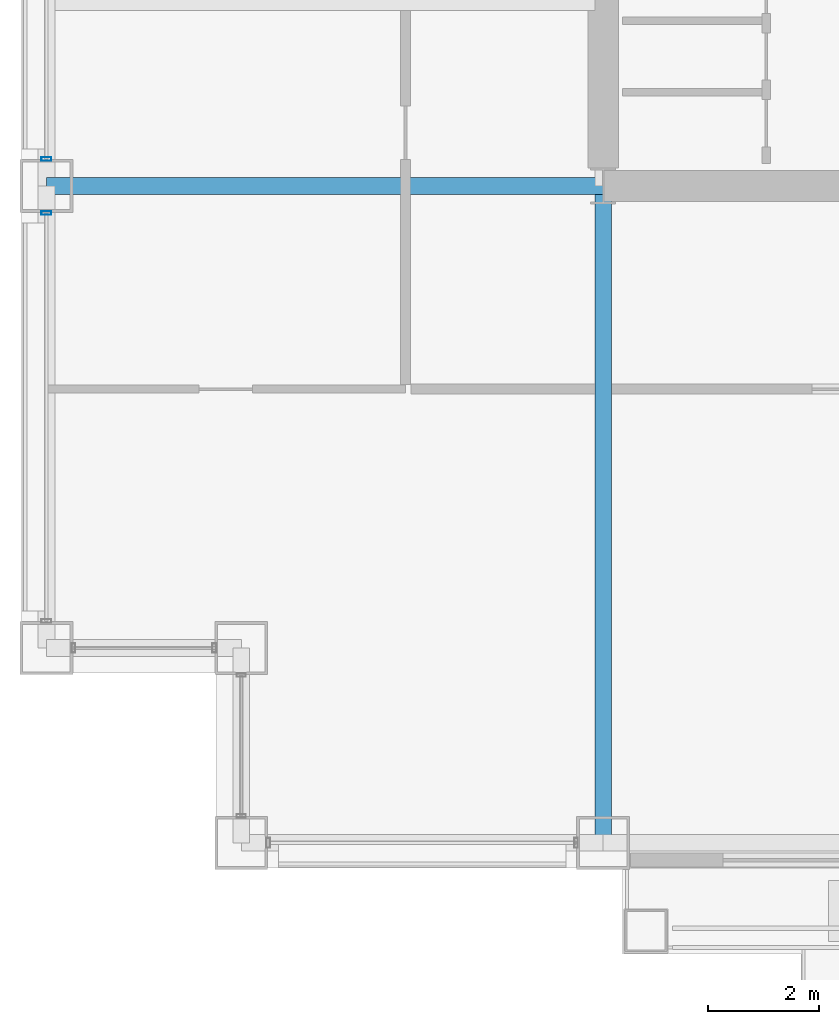
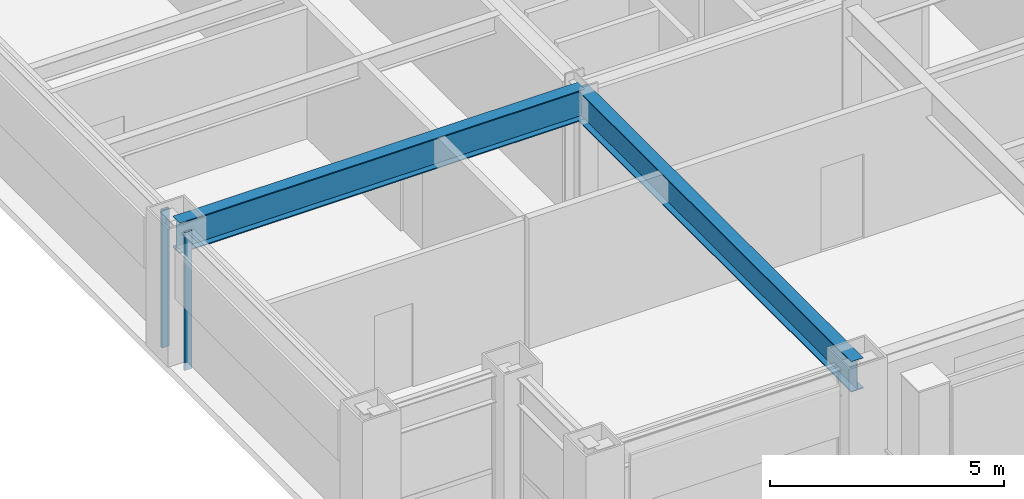
# One storey, part 4 of 31: 2 beams, 2 members, 2 elements without a shape of their own.
"""IFC4 building model written with IfcOpenShell, lengths in metres."""

from ifc_helpers import new_model, si_unit, direction, frame, origin, origin_2d, place, context, subcontext, project, spatial, hollow_rectangle, i_section, extrude, material, layer, layer_set, material_profile, profile_set, type_object, element, aggregate, save


model = new_model("IFC4")

# Units and contexts
model_context = context("Model", 3, precision=1e-05, world=origin(), true_north=direction((0.0, 1.0)))
body_context = subcontext(model_context, "Body", "Model", "MODEL_VIEW")
ifc_project = project(units=[si_unit("LENGTHUNIT", "METRE"), si_unit("AREAUNIT", "SQUARE_METRE"), si_unit("VOLUMEUNIT", "CUBIC_METRE"), si_unit("PLANEANGLEUNIT", "RADIAN"), si_unit("MASSUNIT", "GRAM", prefix="KILO")], contexts=[model_context])

# Site, building, storey
site_placement = place(None, origin())
site = spatial("IfcSite", under=ifc_project, at=site_placement, CompositionType="ELEMENT")
building_placement = place(site_placement, origin())
building = spatial("IfcBuilding", under=site, at=building_placement, Name="Brelmoor Portico Tower", CompositionType="ELEMENT")
storey_placement = place(building_placement, frame((0.0, 0.0, 42.0)))
storey = spatial("IfcBuildingStorey", under=building, at=storey_placement, Name="L10", CompositionType="ELEMENT", Elevation=42.0)

# Beams
ifc_material_1 = material(Name="Steel Q355B", Category="steel")
ifc_material_profile_1 = material_profile(ifc_material_1, i_section(OverallWidth=0.300048828125, OverallDepth=0.800048828125, WebThickness=0.013916015625, FlangeThickness=0.02587890625, at=origin_2d()), Name="HN 800x300x14x26")
ifc_profile_set_1 = profile_set([ifc_material_profile_1], Name="Steel Q355B")
beam_type = type_object("IfcBeamType", Name="BM-PG-800", PredefinedType="BEAM", material=ifc_profile_set_1)
beam_1_placement = place(storey_placement, frame((-14.550048828125, -21.550048828125, 3.0), z_axis=(0.0, 1.0, 0.0), x_axis=(-1.0, 0.0, 0.0)))
element("IfcBeam", 1, at=beam_1_placement, inside=storey, type_object=beam_type, Name="L10 Primary Floor Girder PG-03", PredefinedType="BEAM", context=body_context, shape_type="SweptSolid", body=[
    extrude(i_section(OverallWidth=0.300048828125, OverallDepth=0.800048828125, WebThickness=0.013916015625, FlangeThickness=0.02587890625, at=origin_2d()), origin(), (0.0, 0.0, 1.0), 11.800048828125),
])
beam_2_placement = place(storey_placement, frame((-24.550048828125, -9.75, 3.0), z_axis=(1.0, 0.0, 0.0), x_axis=(0.0, 1.0, 0.0)))
element("IfcBeam", 2, at=beam_2_placement, inside=storey, type_object=beam_type, Name="L10 Primary Floor Girder PG-19", PredefinedType="BEAM", context=body_context, shape_type="SweptSolid", body=[
    extrude(i_section(OverallWidth=0.300048828125, OverallDepth=0.800048828125, WebThickness=0.013916015625, FlangeThickness=0.02587890625, at=origin_2d()), origin(), (0.0, 0.0, 1.0), 10.0),
])

# Curtain wall, member
ifc_material_2 = material(Name="Anodised Aluminium Alloy 6063-T6", Category="aluminium")
ifc_layer = layer(ifc_material_2, 0.179931640625)
ifc_layer_set = layer_set([ifc_layer], Name="Anodised Aluminium Alloy 6063-T6")
curtain_wall_type = type_object("IfcCurtainWallType", Name="CW-TOWER-Z1-XB", PredefinedType="NOTDEFINED", material=ifc_layer_set)
curtain_wall_1_placement = place(storey_placement, origin())
curtain_wall_1 = element("IfcCurtainWall", 3, at=curtain_wall_1_placement, inside=storey, type_object=curtain_wall_type, Name="L10 Curtain Wall CW-L10-03-1", PredefinedType="NOTDEFINED")
ifc_material_profile_2 = material_profile(ifc_material_2, hollow_rectangle(XDim=0.06494140625, YDim=0.179931640625, WallThickness=0.00390625, at=origin_2d()), Name="ALU MULLION 65x180")
ifc_profile_set_2 = profile_set([ifc_material_profile_2], Name="Anodised Aluminium Alloy 6063-T6")
member_type = type_object("IfcMemberType", Name="MB-CW-MULL-180", PredefinedType="MULLION", material=ifc_profile_set_2)
member_1_placement = place(storey_placement, frame((-24.550048828125, -10.235107421875, -0.199951171875), z_axis=(0.0, 0.0, 1.0), x_axis=(0.0, 1.0, 0.0)))
member_1 = element("IfcMember", 4, at=member_1_placement, type_object=member_type, Name="CW-L10-03-1 Mullion 01", PredefinedType="MULLION", context=body_context, shape_type="SweptSolid", body=[
    extrude(hollow_rectangle(XDim=0.06494140625, YDim=0.179931640625, WallThickness=0.00390625, at=origin_2d()), origin(), (0.0, 0.0, 1.0), 3.599853515625),
])
aggregate(curtain_wall_1, [member_1])

curtain_wall_2_placement = place(storey_placement, origin())
curtain_wall_2 = element("IfcCurtainWall", 5, at=curtain_wall_2_placement, inside=storey, type_object=curtain_wall_type, Name="L10 Curtain Wall CW-L10-03-2", PredefinedType="NOTDEFINED")
member_2_placement = place(storey_placement, frame((-24.550048828125, -9.264892578125, -0.199951171875), z_axis=(0.0, 0.0, 1.0), x_axis=(0.0, 1.0, 0.0)))
member_2 = element("IfcMember", 6, at=member_2_placement, type_object=member_type, Name="CW-L10-03-2 Mullion 00", PredefinedType="MULLION", context=body_context, shape_type="SweptSolid", body=[
    extrude(hollow_rectangle(XDim=0.06494140625, YDim=0.179931640625, WallThickness=0.00390625, at=origin_2d()), origin(), (0.0, 0.0, 1.0), 3.599853515625),
])
aggregate(curtain_wall_2, [member_2])

save(model, "model.ifc")
